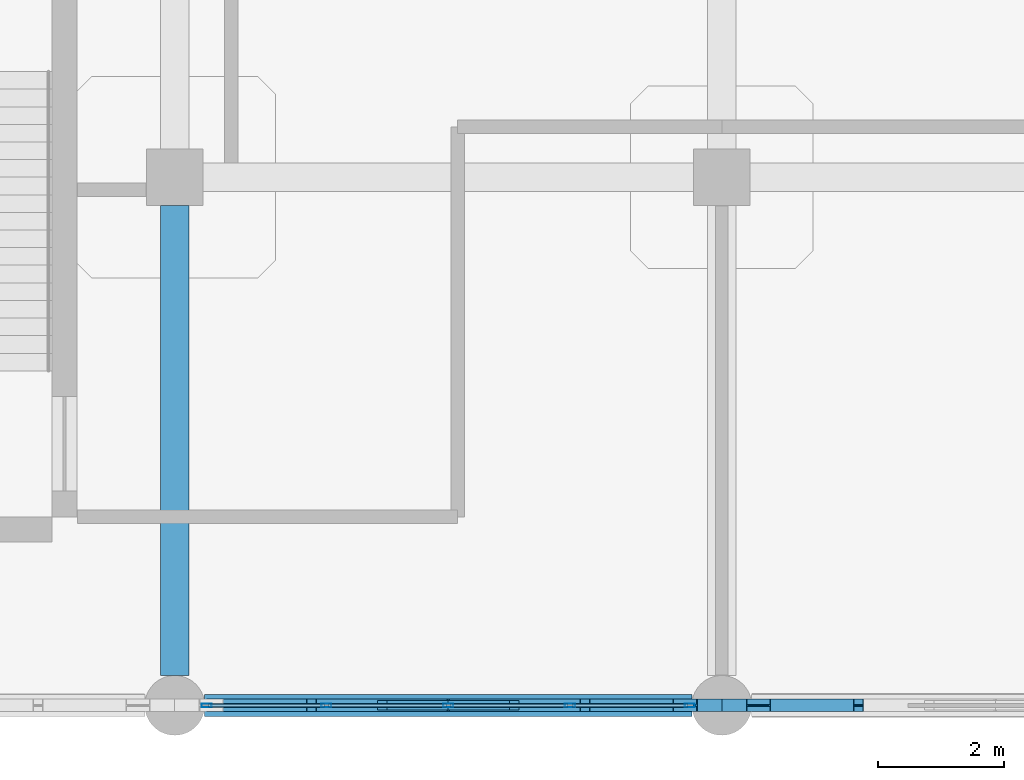
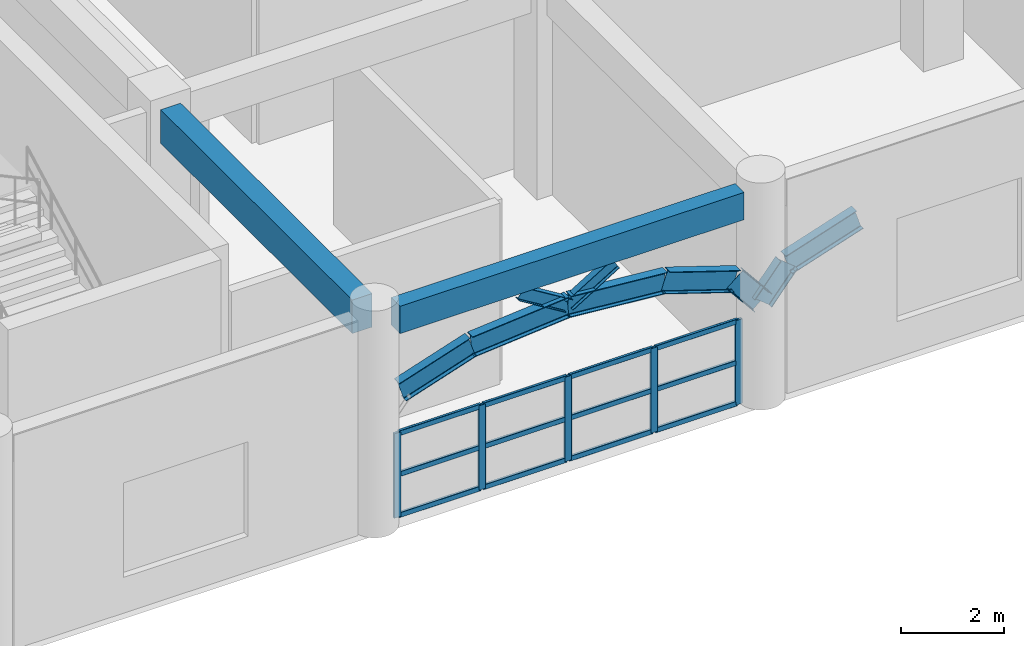
# One storey, part 28 of 114: 19 members, 9 beams, 1 element without a shape of its own.
"""IFC4 building model written with IfcOpenShell, lengths in metres."""

from ifc_helpers import new_model, si_unit, derived_unit, direction, frame, origin, origin_2d, place, context, subcontext, project, spatial, rectangle, hollow_rectangle, i_section, extrude, material, layer, layer_set, material_profile, profile_set, type_object, element, aggregate, save


model = new_model("IFC4")

# Units and contexts
model_context = context("Model", 3, precision=1e-05, world=origin(), true_north=direction((0.0, 1.0)))
body_context = subcontext(model_context, "Body", "Model", "MODEL_VIEW")
ifc_project = project(units=[si_unit("LENGTHUNIT", "METRE"), si_unit("AREAUNIT", "SQUARE_METRE"), si_unit("VOLUMEUNIT", "CUBIC_METRE"), si_unit("PLANEANGLEUNIT", "RADIAN"), si_unit("MASSUNIT", "GRAM", prefix="KILO"), derived_unit("THERMALTRANSMITTANCEUNIT", [(si_unit("MASSUNIT", "GRAM", prefix="KILO"), 1), (si_unit("TIMEUNIT", "SECOND"), -3), (si_unit("THERMODYNAMICTEMPERATUREUNIT", "KELVIN"), -1)])], contexts=[model_context])

# Site, building, storey
site_placement = place(None, origin())
site = spatial("IfcSite", under=ifc_project, at=site_placement, CompositionType="ELEMENT")
building_placement = place(site_placement, origin())
building = spatial("IfcBuilding", under=site, at=building_placement, Name="Qinzheling Arcade Emporium", CompositionType="ELEMENT")
storey_placement = place(building_placement, frame((0.0, 0.0, 6.0)))
storey = spatial("IfcBuildingStorey", under=building, at=storey_placement, Name="L02", CompositionType="ELEMENT", Elevation=6.0)

# Beams
ifc_material_1 = material(Name="Weathering steel Q355NH", Category="steel")
ifc_material_profile_1 = material_profile(ifc_material_1, i_section(OverallWidth=0.199951171875, OverallDepth=0.5, WebThickness=0.010009765625, FlangeThickness=0.01611328125, FilletRadius=0.01806640625, at=origin_2d()), Name="HN 500x200x10x16", Category="steel")
ifc_profile_set_1 = profile_set([ifc_material_profile_1], Name="Weathering steel Q355NH")
beam_type_1 = type_object("IfcBeamType", Name="Arcade End Arch Rib HN500 Q355NH", PredefinedType="BEAM", material=ifc_profile_set_1)
beam_1_placement = place(storey_placement, frame((113.68310546875, 0.0, 2.988037109375), z_axis=(0.950389294243, 0.0, 0.311062999067), x_axis=(0.0, 1.0, 0.0)))
element("IfcBeam", 1, at=beam_1_placement, inside=storey, type_object=beam_type_1, Name="Street Entrance Arch ARC-L02-S07-C02", PredefinedType="BEAM", context=body_context, shape_type="SweptSolid", body=[
    extrude(i_section(OverallWidth=0.199951171875, OverallDepth=0.5, WebThickness=0.010009765625, FlangeThickness=0.01611328125, FilletRadius=0.01806640625, at=origin_2d()), origin(), (0.0, 0.0, 1.0), 1.6748046875),
])
for number, where, z_axis, x_axis, name in (
    (2, (115.27490234375, 0.0, 3.509033203125), (0.9961697702, 0.0, 0.087440202076), (0.0, 1.0, 0.0), "Street Entrance Arch ARC-L02-S07-C03"),
    (3, (117.449951171875, 0.0, 3.699951171875), (0.9961697702, 0.0, -0.087440202076), (0.0, 1.0, 0.0), "Street Entrance Arch ARC-L02-S07-C04"),
):
    element("IfcBeam", number, at=place(storey_placement, frame(where, z_axis=z_axis, x_axis=x_axis)), inside=storey, type_object=beam_type_1, Name=name, PredefinedType="BEAM", context=body_context, shape_type="SweptSolid", body=[
        extrude(i_section(OverallWidth=0.199951171875, OverallDepth=0.5, WebThickness=0.010009765625, FlangeThickness=0.01611328125, FilletRadius=0.01806640625, at=origin_2d()), origin(), (0.0, 0.0, 1.0), 2.183349609375),
    ])
beam_2_placement = place(storey_placement, frame((119.625, 0.0, 3.509033203125), z_axis=(0.950403395584, 0.0, -0.311019912004), x_axis=(0.0, 1.0, 0.0)))
element("IfcBeam", 4, at=beam_2_placement, inside=storey, type_object=beam_type_1, Name="Street Entrance Arch ARC-L02-S07-C05", PredefinedType="BEAM", context=body_context, shape_type="SweptSolid", body=[
    extrude(i_section(OverallWidth=0.199951171875, OverallDepth=0.5, WebThickness=0.010009765625, FlangeThickness=0.01611328125, FilletRadius=0.01806640625, at=origin_2d()), origin(), (0.0, 0.0, 1.0), 1.675048828125),
])
beam_3_placement = place(storey_placement, frame((121.217041015625, 0.0, 2.988037109375), z_axis=(0.632934642244, 0.0, -0.774205230316), x_axis=(0.0, 1.0, 0.0)))
element("IfcBeam", 5, at=beam_3_placement, inside=storey, type_object=beam_type_1, Name="Street Entrance Arch ARC-L02-S07-C06", PredefinedType="BEAM", context=body_context, shape_type="SweptSolid", body=[
    extrude(i_section(OverallWidth=0.199951171875, OverallDepth=0.5, WebThickness=0.010009765625, FlangeThickness=0.01611328125, FilletRadius=0.01806640625, at=origin_2d()), origin(), (0.0, 0.0, 1.0), 0.921142578125),
])
beam_4_placement = place(storey_placement, frame((121.800048828125, 0.0, 2.260009765625), z_axis=(0.633064539161, 0.0, 0.774099017734), x_axis=(0.0, 1.0, 0.0)))
element("IfcBeam", 6, at=beam_4_placement, inside=storey, type_object=beam_type_1, Name="Street Entrance Arch ARC-L02-S08-C01", PredefinedType="BEAM", context=body_context, shape_type="SweptSolid", body=[
    extrude(i_section(OverallWidth=0.199951171875, OverallDepth=0.5, WebThickness=0.010009765625, FlangeThickness=0.01611328125, FilletRadius=0.01806640625, at=origin_2d()), origin(), (0.0, 0.0, 1.0), 0.9208984375),
])
beam_5_placement = place(storey_placement, frame((122.383056640625, 0.0, 2.972900390625), z_axis=(0.950403395584, 0.0, 0.311019912004), x_axis=(0.0, 1.0, 0.0)))
element("IfcBeam", 7, at=beam_5_placement, inside=storey, type_object=beam_type_1, Name="Street Entrance Arch ARC-L02-S08-C02", PredefinedType="BEAM", context=body_context, shape_type="SweptSolid", body=[
    extrude(i_section(OverallWidth=0.199951171875, OverallDepth=0.5, WebThickness=0.010009765625, FlangeThickness=0.01611328125, FilletRadius=0.01806640625, at=origin_2d()), origin(), (0.0, 0.0, 1.0), 1.675048828125),
])

# Members
ifc_material_profile_2 = material_profile(ifc_material_1, i_section(OverallWidth=0.14990234375, OverallDepth=0.300048828125, WebThickness=0.006591796875, FlangeThickness=0.009033203125, FilletRadius=0.012939453125, at=origin_2d()), Name="HN 300x150x6.5x9", Category="steel")
ifc_profile_set_2 = profile_set([ifc_material_profile_2], Name="Weathering steel Q355NH")
member_type_1 = type_object("IfcMemberType", Name="Arcade Spandrel Web Chord HN300 Q355NH", PredefinedType="CHORD", material=ifc_profile_set_2)
for number, where, z_axis, x_axis, name in (
    (8, (117.449951171875, 0.0, 3.7099609375), (-0.853845673448, 0.0, 0.520526239428), (0.0, -1.0, 0.0), "Street Spandrel Web Chord ASW-L02-S07-W1"),
    (9, (117.449951171875, 0.0, 3.7099609375), (0.853845673448, 0.0, 0.520526239428), (0.0, 1.0, 0.0), "Street Spandrel Web Chord ASW-L02-S07-W2"),
):
    element("IfcMember", number, at=place(storey_placement, frame(where, z_axis=z_axis, x_axis=x_axis)), inside=storey, type_object=member_type_1, Name=name, PredefinedType="CHORD", context=body_context, shape_type="SweptSolid", body=[
        extrude(i_section(OverallWidth=0.14990234375, OverallDepth=0.300048828125, WebThickness=0.006591796875, FlangeThickness=0.009033203125, FilletRadius=0.012939453125, at=origin_2d()), origin(), (0.0, 0.0, 1.0), 1.229736328125),
    ])

# Curtain wall, members
ifc_material_2 = material(Name="Anodised aluminium and solar-control double glazing", Category="aluminium")
ifc_layer = layer(ifc_material_2, 0.159912109375, Name="Anodised aluminium and solar-control double glazing", Category="aluminium")
ifc_layer_set = layer_set([ifc_layer], Name="Anodised aluminium and solar-control double glazing")
curtain_wall_type = type_object("IfcCurtainWallType", Name="Arcade Portal Glazed Curtain Wall", PredefinedType="NOTDEFINED", material=ifc_layer_set)
curtain_wall_placement = place(storey_placement, origin())
curtain_wall = element("IfcCurtainWall", 10, at=curtain_wall_placement, inside=storey, type_object=curtain_wall_type, Name="Curtain Wall CW-L02-059", PredefinedType="NOTDEFINED")
ifc_material_3 = material(Name="Anodised aluminium 6063-T6", Category="aluminium")
ifc_material_profile_3 = material_profile(ifc_material_3, hollow_rectangle(XDim=0.06005859375, YDim=0.159912109375, WallThickness=0.00390625, InnerFilletRadius=0.00390625, OuterFilletRadius=0.008056640625, at=origin_2d()), Name="RHS 160x60x4", Category="aluminium")
ifc_profile_set_3 = profile_set([ifc_material_profile_3], Name="Anodised aluminium 6063-T6")
member_type_2 = type_object("IfcMemberType", Name="Curtain Wall Mullion RHS160x60", PredefinedType="MULLION", material=ifc_profile_set_3)
member_1_placement = place(storey_placement, frame((121.29296875, 0.0, 0.0), z_axis=(0.0, 0.0, 1.0), x_axis=(0.0, -1.0, 0.0)))
member_1 = element("IfcMember", 11, at=member_1_placement, type_object=member_type_2, Name="CW05 mullion 1", PredefinedType="MULLION", context=body_context, shape_type="SweptSolid", body=[
    extrude(hollow_rectangle(XDim=0.06005859375, YDim=0.159912109375, WallThickness=0.00390625, InnerFilletRadius=0.00390625, OuterFilletRadius=0.008056640625, at=origin_2d()), origin(), (0.0, 0.0, 1.0), 2.010009765625),
])
member_2_placement = place(storey_placement, frame((119.386474609375, 0.0, 0.0), z_axis=(0.0, 0.0, 1.0), x_axis=(0.0, -1.0, 0.0)))
member_2 = element("IfcMember", 12, at=member_2_placement, type_object=member_type_2, Name="CW05 mullion 2", PredefinedType="MULLION", context=body_context, shape_type="SweptSolid", body=[
    extrude(hollow_rectangle(XDim=0.06005859375, YDim=0.159912109375, WallThickness=0.00390625, InnerFilletRadius=0.00390625, OuterFilletRadius=0.008056640625, at=origin_2d()), origin(), (0.0, 0.0, 1.0), 2.010009765625),
])
member_3_placement = place(storey_placement, frame((117.449951171875, 0.0, 0.0), z_axis=(0.0, 0.0, 1.0), x_axis=(0.0, -1.0, 0.0)))
member_3 = element("IfcMember", 13, at=member_3_placement, type_object=member_type_2, Name="CW05 mullion 3", PredefinedType="MULLION", context=body_context, shape_type="SweptSolid", body=[
    extrude(hollow_rectangle(XDim=0.06005859375, YDim=0.159912109375, WallThickness=0.00390625, InnerFilletRadius=0.00390625, OuterFilletRadius=0.008056640625, at=origin_2d()), origin(), (0.0, 0.0, 1.0), 2.010009765625),
])
member_4_placement = place(storey_placement, frame((115.513427734375, 0.0, 0.0), z_axis=(0.0, 0.0, 1.0), x_axis=(0.0, -1.0, 0.0)))
member_4 = element("IfcMember", 14, at=member_4_placement, type_object=member_type_2, Name="CW05 mullion 4", PredefinedType="MULLION", context=body_context, shape_type="SweptSolid", body=[
    extrude(hollow_rectangle(XDim=0.06005859375, YDim=0.159912109375, WallThickness=0.00390625, InnerFilletRadius=0.00390625, OuterFilletRadius=0.008056640625, at=origin_2d()), origin(), (0.0, 0.0, 1.0), 2.010009765625),
])
member_5_placement = place(storey_placement, frame((113.60693359375, 0.0, 0.0), z_axis=(0.0, 0.0, 1.0), x_axis=(0.0, -1.0, 0.0)))
member_5 = element("IfcMember", 15, at=member_5_placement, type_object=member_type_2, Name="CW05 mullion 5", PredefinedType="MULLION", context=body_context, shape_type="SweptSolid", body=[
    extrude(hollow_rectangle(XDim=0.06005859375, YDim=0.159912109375, WallThickness=0.00390625, InnerFilletRadius=0.00390625, OuterFilletRadius=0.008056640625, at=origin_2d()), origin(), (0.0, 0.0, 1.0), 2.010009765625),
])
ifc_material_profile_4 = material_profile(ifc_material_3, hollow_rectangle(XDim=0.06005859375, YDim=0.1201171875, WallThickness=0.00390625, InnerFilletRadius=0.00390625, OuterFilletRadius=0.008056640625, at=origin_2d()), Name="RHS 120x60x4", Category="aluminium")
ifc_profile_set_4 = profile_set([ifc_material_profile_4], Name="Anodised aluminium 6063-T6")
member_type_3 = type_object("IfcMemberType", Name="Curtain Wall Transom RHS120x60", PredefinedType="USERDEFINED", material=ifc_profile_set_4)
member_6_placement = place(storey_placement, frame((121.262939453125, 0.0, 0.030029296875), z_axis=(-1.0, 0.0, 0.0), x_axis=(0.0, -1.0, 0.0)))
member_6 = element("IfcMember", 16, at=member_6_placement, type_object=member_type_3, Name="CW05 transom 1.1", ObjectType="TRANSOM", PredefinedType="USERDEFINED", context=body_context, shape_type="SweptSolid", body=[
    extrude(hollow_rectangle(XDim=0.06005859375, YDim=0.1201171875, WallThickness=0.00390625, InnerFilletRadius=0.00390625, OuterFilletRadius=0.008056640625, at=origin_2d()), origin(), (0.0, 0.0, 1.0), 1.846435546875),
])
member_7_placement = place(storey_placement, frame((121.262939453125, 0.0, 1.0048828125), z_axis=(-1.0, 0.0, 0.0), x_axis=(0.0, -1.0, 0.0)))
member_7 = element("IfcMember", 17, at=member_7_placement, type_object=member_type_3, Name="CW05 transom 1.2", ObjectType="TRANSOM", PredefinedType="USERDEFINED", context=body_context, shape_type="SweptSolid", body=[
    extrude(hollow_rectangle(XDim=0.06005859375, YDim=0.1201171875, WallThickness=0.00390625, InnerFilletRadius=0.00390625, OuterFilletRadius=0.008056640625, at=origin_2d()), origin(), (0.0, 0.0, 1.0), 1.846435546875),
])
member_8_placement = place(storey_placement, frame((121.262939453125, 0.0, 1.97998046875), z_axis=(-1.0, 0.0, 0.0), x_axis=(0.0, -1.0, 0.0)))
member_8 = element("IfcMember", 18, at=member_8_placement, type_object=member_type_3, Name="CW05 transom 1.3", ObjectType="TRANSOM", PredefinedType="USERDEFINED", context=body_context, shape_type="SweptSolid", body=[
    extrude(hollow_rectangle(XDim=0.06005859375, YDim=0.1201171875, WallThickness=0.00390625, InnerFilletRadius=0.00390625, OuterFilletRadius=0.008056640625, at=origin_2d()), origin(), (0.0, 0.0, 1.0), 1.846435546875),
])
member_9_placement = place(storey_placement, frame((119.3564453125, 0.0, 0.030029296875), z_axis=(-1.0, 0.0, 0.0), x_axis=(0.0, -1.0, 0.0)))
member_9 = element("IfcMember", 19, at=member_9_placement, type_object=member_type_3, Name="CW05 transom 2.1", ObjectType="TRANSOM", PredefinedType="USERDEFINED", context=body_context, shape_type="SweptSolid", body=[
    extrude(hollow_rectangle(XDim=0.06005859375, YDim=0.1201171875, WallThickness=0.00390625, InnerFilletRadius=0.00390625, OuterFilletRadius=0.008056640625, at=origin_2d()), origin(), (0.0, 0.0, 1.0), 1.87646484375),
])
member_10_placement = place(storey_placement, frame((119.3564453125, 0.0, 1.0048828125), z_axis=(-1.0, 0.0, 0.0), x_axis=(0.0, -1.0, 0.0)))
member_10 = element("IfcMember", 20, at=member_10_placement, type_object=member_type_3, Name="CW05 transom 2.2", ObjectType="TRANSOM", PredefinedType="USERDEFINED", context=body_context, shape_type="SweptSolid", body=[
    extrude(hollow_rectangle(XDim=0.06005859375, YDim=0.1201171875, WallThickness=0.00390625, InnerFilletRadius=0.00390625, OuterFilletRadius=0.008056640625, at=origin_2d()), origin(), (0.0, 0.0, 1.0), 1.87646484375),
])
member_11_placement = place(storey_placement, frame((119.3564453125, 0.0, 1.97998046875), z_axis=(-1.0, 0.0, 0.0), x_axis=(0.0, -1.0, 0.0)))
member_11 = element("IfcMember", 21, at=member_11_placement, type_object=member_type_3, Name="CW05 transom 2.3", ObjectType="TRANSOM", PredefinedType="USERDEFINED", context=body_context, shape_type="SweptSolid", body=[
    extrude(hollow_rectangle(XDim=0.06005859375, YDim=0.1201171875, WallThickness=0.00390625, InnerFilletRadius=0.00390625, OuterFilletRadius=0.008056640625, at=origin_2d()), origin(), (0.0, 0.0, 1.0), 1.87646484375),
])
member_12_placement = place(storey_placement, frame((117.419921875, 0.0, 0.030029296875), z_axis=(-1.0, 0.0, 0.0), x_axis=(0.0, -1.0, 0.0)))
member_12 = element("IfcMember", 22, at=member_12_placement, type_object=member_type_3, Name="CW05 transom 3.1", ObjectType="TRANSOM", PredefinedType="USERDEFINED", context=body_context, shape_type="SweptSolid", body=[
    extrude(hollow_rectangle(XDim=0.06005859375, YDim=0.1201171875, WallThickness=0.00390625, InnerFilletRadius=0.00390625, OuterFilletRadius=0.008056640625, at=origin_2d()), origin(), (0.0, 0.0, 1.0), 1.87646484375),
])
member_13_placement = place(storey_placement, frame((117.419921875, 0.0, 1.0048828125), z_axis=(-1.0, 0.0, 0.0), x_axis=(0.0, -1.0, 0.0)))
member_13 = element("IfcMember", 23, at=member_13_placement, type_object=member_type_3, Name="CW05 transom 3.2", ObjectType="TRANSOM", PredefinedType="USERDEFINED", context=body_context, shape_type="SweptSolid", body=[
    extrude(hollow_rectangle(XDim=0.06005859375, YDim=0.1201171875, WallThickness=0.00390625, InnerFilletRadius=0.00390625, OuterFilletRadius=0.008056640625, at=origin_2d()), origin(), (0.0, 0.0, 1.0), 1.87646484375),
])
member_14_placement = place(storey_placement, frame((117.419921875, 0.0, 1.97998046875), z_axis=(-1.0, 0.0, 0.0), x_axis=(0.0, -1.0, 0.0)))
member_14 = element("IfcMember", 24, at=member_14_placement, type_object=member_type_3, Name="CW05 transom 3.3", ObjectType="TRANSOM", PredefinedType="USERDEFINED", context=body_context, shape_type="SweptSolid", body=[
    extrude(hollow_rectangle(XDim=0.06005859375, YDim=0.1201171875, WallThickness=0.00390625, InnerFilletRadius=0.00390625, OuterFilletRadius=0.008056640625, at=origin_2d()), origin(), (0.0, 0.0, 1.0), 1.87646484375),
])
member_15_placement = place(storey_placement, frame((115.4833984375, 0.0, 0.030029296875), z_axis=(-1.0, 0.0, 0.0), x_axis=(0.0, -1.0, 0.0)))
member_15 = element("IfcMember", 25, at=member_15_placement, type_object=member_type_3, Name="CW05 transom 4.1", ObjectType="TRANSOM", PredefinedType="USERDEFINED", context=body_context, shape_type="SweptSolid", body=[
    extrude(hollow_rectangle(XDim=0.06005859375, YDim=0.1201171875, WallThickness=0.00390625, InnerFilletRadius=0.00390625, OuterFilletRadius=0.008056640625, at=origin_2d()), origin(), (0.0, 0.0, 1.0), 1.846435546875),
])
member_16_placement = place(storey_placement, frame((115.4833984375, 0.0, 1.0048828125), z_axis=(-1.0, 0.0, 0.0), x_axis=(0.0, -1.0, 0.0)))
member_16 = element("IfcMember", 26, at=member_16_placement, type_object=member_type_3, Name="CW05 transom 4.2", ObjectType="TRANSOM", PredefinedType="USERDEFINED", context=body_context, shape_type="SweptSolid", body=[
    extrude(hollow_rectangle(XDim=0.06005859375, YDim=0.1201171875, WallThickness=0.00390625, InnerFilletRadius=0.00390625, OuterFilletRadius=0.008056640625, at=origin_2d()), origin(), (0.0, 0.0, 1.0), 1.846435546875),
])
member_17_placement = place(storey_placement, frame((115.4833984375, 0.0, 1.97998046875), z_axis=(-1.0, 0.0, 0.0), x_axis=(0.0, -1.0, 0.0)))
member_17 = element("IfcMember", 27, at=member_17_placement, type_object=member_type_3, Name="CW05 transom 4.3", ObjectType="TRANSOM", PredefinedType="USERDEFINED", context=body_context, shape_type="SweptSolid", body=[
    extrude(hollow_rectangle(XDim=0.06005859375, YDim=0.1201171875, WallThickness=0.00390625, InnerFilletRadius=0.00390625, OuterFilletRadius=0.008056640625, at=origin_2d()), origin(), (0.0, 0.0, 1.0), 1.846435546875),
])
aggregate(curtain_wall, [member_1, member_2, member_3, member_4, member_5, member_6, member_7, member_8, member_9, member_10, member_11, member_12, member_13, member_14, member_15, member_16, member_17])

# Beams
ifc_material_4 = material(Name="Concrete C40", Category="concrete")
ifc_material_profile_5 = material_profile(ifc_material_4, rectangle(XDim=0.449951171875, YDim=0.800048828125, at=origin_2d()), Name="RC 450x800", Category="concrete")
ifc_profile_set_5 = profile_set([ifc_material_profile_5], Name="Concrete C40")
beam_type_2 = type_object("IfcBeamType", Name="RC Primary Frame Beam 450x800 C40", PredefinedType="BEAM", material=ifc_profile_set_5)
beam_6_placement = place(storey_placement, frame((113.10009765625, 0.47509765625, 4.719970703125), z_axis=(0.0, 1.0, 0.0), x_axis=(-1.0, 0.0, 0.0)))
element("IfcBeam", 28, at=beam_6_placement, inside=storey, type_object=beam_type_2, Name="Beam BM-L02-Y-14-A", PredefinedType="BEAM", context=body_context, shape_type="SweptSolid", body=[
    extrude(rectangle(XDim=0.449951171875, YDim=0.800048828125, at=origin_2d()), origin(), (0.0, 0.0, 1.0), 7.474853515625),
])
ifc_material_profile_6 = material_profile(ifc_material_4, rectangle(XDim=0.35009765625, YDim=0.64990234375, at=origin_2d()), Name="RC 350x650", Category="concrete")
ifc_profile_set_6 = profile_set([ifc_material_profile_6], Name="Concrete C40")
beam_type_3 = type_object("IfcBeamType", Name="RC Spandrel Edge Beam 350x650 C40", PredefinedType="SPANDREL", material=ifc_profile_set_6)
beam_7_placement = place(storey_placement, frame((113.574951171875, 0.0, 4.794921875), z_axis=(1.0, 0.0, 0.0), x_axis=(0.0, 1.0, 0.0)))
element("IfcBeam", 29, at=beam_7_placement, inside=storey, type_object=beam_type_3, Name="Beam BM-L02-X-A-14", PredefinedType="SPANDREL", context=body_context, shape_type="SweptSolid", body=[
    extrude(rectangle(XDim=0.35009765625, YDim=0.64990234375, at=origin_2d()), origin(), (0.0, 0.0, 1.0), 7.75),
])

save(model, "model.ifc")
